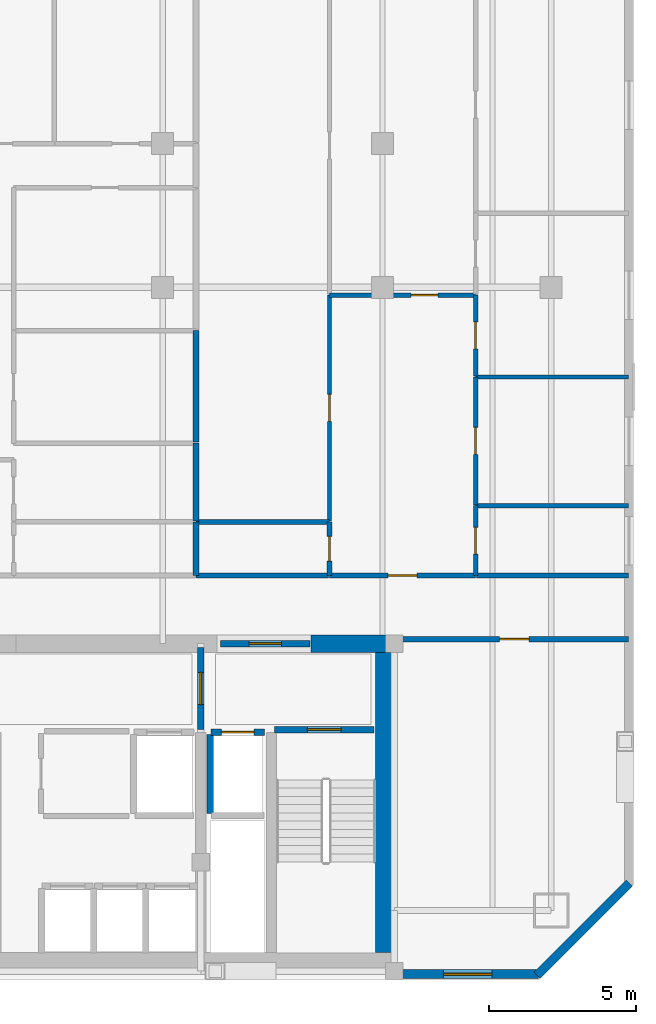
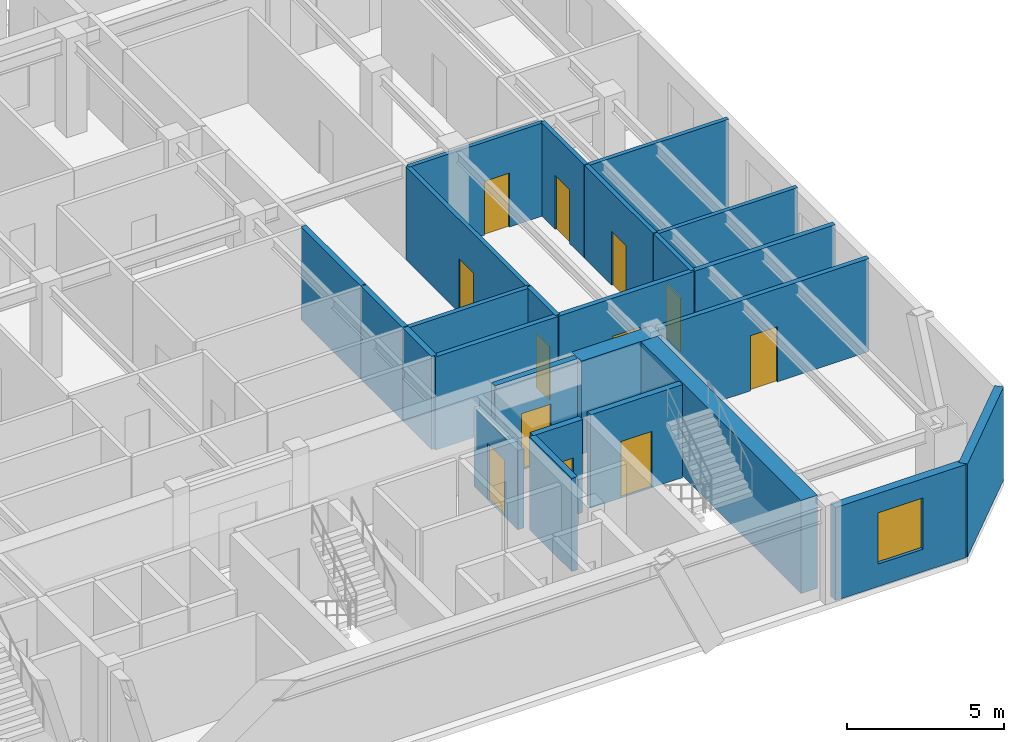
# One storey, part 5 of 8: 25 walls, 12 doors, 1 window, 13 openings.
"""IFC4 building model written with IfcOpenShell, lengths in metres."""

from ifc_helpers import new_model, si_unit, direction, frame, frame_2d, origin, place, context, subcontext, project, spatial, rectangle, extrude, material, layer, layer_set, type_object, element, fill, save


model = new_model("IFC4")

# Units and contexts
model_context = context("Model", 3, precision=1e-05, world=origin(), true_north=direction((0.0, 1.0)))
body_context = subcontext(model_context, "Body", "Model", "MODEL_VIEW")
ifc_project = project(units=[si_unit("LENGTHUNIT", "METRE"), si_unit("AREAUNIT", "SQUARE_METRE"), si_unit("VOLUMEUNIT", "CUBIC_METRE"), si_unit("PLANEANGLEUNIT", "RADIAN"), si_unit("MASSUNIT", "GRAM", prefix="KILO")], contexts=[model_context])

# Site, building, storey
site_placement = place(None, origin())
site = spatial("IfcSite", under=ifc_project, at=site_placement, CompositionType="ELEMENT")
building_placement = place(site_placement, origin())
building = spatial("IfcBuilding", under=site, at=building_placement, Name="Ventersveld Concourse Tower", CompositionType="ELEMENT")
storey_placement = place(building_placement, frame((0.0, 0.0, 196.449951171875)))
storey = spatial("IfcBuildingStorey", under=building, at=storey_placement, Name="L48", CompositionType="ELEMENT", Elevation=196.449951171875)

# Walls
ifc_material_1 = material(Name="Concrete C50/60", Category="concrete")
ifc_layer_1 = layer(ifc_material_1, 0.60009765625)
ifc_layer_set_1 = layer_set([ifc_layer_1], Name="Concrete C50/60")
wall_type_1 = type_object("IfcWallType", Name="WL-CORE-600", PredefinedType="SHEAR", material=ifc_layer_set_1)
wall_1_placement = place(storey_placement, frame((43.800048828125, 0.919921875, 0.0), z_axis=(0.0, 0.0, 1.0), x_axis=(0.0, 1.0, 0.0)))
element("IfcWall", 1, at=wall_1_placement, inside=storey, type_object=wall_type_1, Name="L48 Rear Core East Shear Wall", PredefinedType="SHEAR", context=body_context, shape_type="SweptSolid", body=[
    extrude(rectangle(XDim=10.530029296875, YDim=0.60009765625, at=frame_2d((5.26513671875, 0.0))), origin(), (0.0, 0.0, 1.0), 3.630126953125),
])
wall_2_placement = place(storey_placement, frame((41.300048828125, 11.449951171875, 0.0), z_axis=(0.0, 0.0, 1.0), x_axis=(1.0, 0.0, 0.0)))
element("IfcWall", 2, at=wall_2_placement, inside=storey, type_object=wall_type_1, Name="L48 Rear Core North Shear Wall NE", PredefinedType="SHEAR", context=body_context, shape_type="SweptSolid", body=[
    extrude(rectangle(XDim=2.949951171875, YDim=0.60009765625, at=frame_2d((1.47509765625, 0.0))), origin(), (0.0, 0.0, 1.0), 3.630126953125),
])

# Wall, opening, door
ifc_material_2 = material(Name="Fire-rated autoclaved aerated masonry blockwork", Category="masonry")
ifc_layer_2 = layer(ifc_material_2, 0.179931640625)
ifc_layer_set_2 = layer_set([ifc_layer_2], Name="Fire-rated autoclaved aerated masonry blockwork")
wall_type_2 = type_object("IfcWallType", Name="WL-CORR-180", PredefinedType="PARTITIONING", material=ifc_layer_set_2)
wall_3_placement = place(storey_placement, frame((44.35498046875, 11.60009765625, 0.0), z_axis=(0.0, 0.0, 1.0), x_axis=(1.0, 0.0, 0.0)))
wall_3 = element("IfcWall", 3, at=wall_3_placement, inside=storey, type_object=wall_type_2, Name="L48 Interior Partition SP-L48-SE-OFF-SP-L48-COR", PredefinedType="PARTITIONING", context=body_context, shape_type="SweptSolid", body=[
    extrude(rectangle(XDim=7.7724609375, YDim=0.179931640625, at=frame_2d((3.88623046875, 0.0))), origin(), (0.0, 0.0, 1.0), 3.630126953125),
])
opening_1_placement = place(wall_3_placement, frame((3.38623046875, 0.0, 0.0)))
opening_1 = element("IfcOpeningElement", 4, at=opening_1_placement, cuts=wall_3, Name="Opening FD3", PredefinedType="OPENING", context=body_context, shape_type="SweptSolid", body=[
    extrude(rectangle(XDim=1.0, YDim=2.14990234375, at=frame_2d((0.5, 1.074951171875))), frame((0.0, 0.10009765625, 0.0), z_axis=(0.0, -1.0, 0.0), x_axis=(1.0, 0.0, 0.0)), (0.0, 0.0, 1.0), 0.199951171875),
])
ifc_material_3 = material(Name="Solid-core hardwood veneer timber", Category="wood")
door_type_1 = type_object("IfcDoorType", Name="DR-FLAT-100", OperationType="NOTDEFINED", PredefinedType="DOOR", material=ifc_material_3)
door_1_placement = place(opening_1_placement, origin())
door_1 = element("IfcDoor", 5, at=door_1_placement, inside=storey, type_object=door_type_1, Name="L48 Interior Door SP-L48-SE-OFF to SP-L48-COR (D-L48-2345)", OperationType="SINGLE_SWING_LEFT", OverallHeight=2.14990234375, OverallWidth=1.0, PredefinedType="DOOR", context=body_context, shape_type="SweptSolid", body=[
    extrude(rectangle(XDim=1.0, YDim=2.14990234375, at=frame_2d((0.5, 1.074951171875))), frame((0.0, 0.02490234375, 0.0), z_axis=(0.0, -1.0, 0.0), x_axis=(1.0, 0.0, 0.0)), (0.0, 0.0, 1.0), 0.050048828125),
])
fill(opening_1, door_1)

wall_4_placement = place(storey_placement, frame((41.93505859375, 13.77001953125, 0.0), z_axis=(0.0, 0.0, 1.0), x_axis=(1.0, 0.0, 0.0)))
wall_4 = element("IfcWall", 6, at=wall_4_placement, inside=storey, type_object=wall_type_2, Name="L48 Interior Partition SP-L48-COR-SP-L48-48CE-FOY", PredefinedType="PARTITIONING", context=body_context, shape_type="SweptSolid", body=[
    extrude(rectangle(XDim=4.989990234375, YDim=0.179931640625, at=frame_2d((2.4951171875, 0.0))), origin(), (0.0, 0.0, 1.0), 3.630126953125),
])
opening_2_placement = place(wall_4_placement, frame((1.9951171875, 0.0, 0.0)))
opening_2 = element("IfcOpeningElement", 7, at=opening_2_placement, cuts=wall_4, Name="Opening FD3", PredefinedType="OPENING", context=body_context, shape_type="SweptSolid", body=[
    extrude(rectangle(XDim=1.0, YDim=2.14990234375, at=frame_2d((0.5, 1.074951171875))), frame((0.0, 0.10009765625, 0.0), z_axis=(0.0, -1.0, 0.0), x_axis=(1.0, 0.0, 0.0)), (0.0, 0.0, 1.0), 0.199951171875),
])
door_2_placement = place(opening_2_placement, origin())
door_2 = element("IfcDoor", 8, at=door_2_placement, inside=storey, type_object=door_type_1, Name="L48 Interior Door SP-L48-COR to SP-L48-48CE-FOY (FD-L48-2347)", OperationType="SINGLE_SWING_LEFT", OverallHeight=2.14990234375, OverallWidth=1.0, PredefinedType="DOOR", context=body_context, shape_type="SweptSolid", body=[
    extrude(rectangle(XDim=1.0, YDim=2.14990234375, at=frame_2d((0.5, 1.074951171875))), frame((0.0, 0.02490234375, 0.0), z_axis=(0.0, -1.0, 0.0), x_axis=(1.0, 0.0, 0.0)), (0.0, 0.0, 1.0), 0.050048828125),
])
fill(opening_2, door_2)

# Walls
wall_5_placement = place(storey_placement, frame((37.385009765625, 13.77001953125, 0.0), z_axis=(0.0, 0.0, 1.0), x_axis=(1.0, 0.0, 0.0)))
element("IfcWall", 9, at=wall_5_placement, inside=storey, type_object=wall_type_2, Name="L48 Interior Partition SP-L48-COR-SP-L48-48CE-BATH", PredefinedType="PARTITIONING", context=body_context, shape_type="SweptSolid", body=[
    extrude(rectangle(XDim=4.52001953125, YDim=0.179931640625, at=frame_2d((2.260009765625, 0.0))), origin(), (0.0, 0.0, 1.0), 3.630126953125),
])
wall_6_placement = place(storey_placement, frame((46.955078125, 13.77001953125, 0.0), z_axis=(0.0, 0.0, 1.0), x_axis=(1.0, 0.0, 0.0)))
element("IfcWall", 10, at=wall_6_placement, inside=storey, type_object=wall_type_2, Name="L48 Interior Partition SP-L48-COR-SP-L48-48CE-KIT", PredefinedType="PARTITIONING", context=body_context, shape_type="SweptSolid", body=[
    extrude(rectangle(XDim=5.17236328125, YDim=0.179931640625, at=frame_2d((2.586181640625, 0.0))), origin(), (0.0, 0.0, 1.0), 3.630126953125),
])
ifc_layer_3 = layer(ifc_material_2, 0.199951171875)
ifc_layer_set_3 = layer_set([ifc_layer_3], Name="Fire-rated autoclaved aerated masonry blockwork")
wall_type_3 = type_object("IfcWallType", Name="WL-DEMISE-200", PredefinedType="PARTITIONING", material=ifc_layer_set_3)
wall_7_placement = place(storey_placement, frame((37.389892578125, 13.764892578125, 0.0), z_axis=(0.0, 0.0, 1.0), x_axis=(0.0, 1.0, 0.0)))
element("IfcWall", 11, at=wall_7_placement, inside=storey, type_object=wall_type_3, Name="L48 Interior Partition SP-L48-48CE-BATH-SP-L48-48CM-KIT", PredefinedType="PARTITIONING", context=body_context, shape_type="SweptSolid", body=[
    extrude(rectangle(XDim=1.840087890625, YDim=0.199951171875, at=frame_2d((0.919921875, 0.0))), origin(), (0.0, 0.0, 1.0), 3.630126953125),
])
wall_8_placement = place(storey_placement, frame((37.389892578125, 15.635009765625, 0.0), z_axis=(0.0, 0.0, 1.0), x_axis=(0.0, 1.0, 0.0)))
element("IfcWall", 12, at=wall_8_placement, inside=storey, type_object=wall_type_3, Name="L48 Interior Partition SP-L48-48CE-OFFL0-SP-L48-48CM-MEDR1", PredefinedType="PARTITIONING", context=body_context, shape_type="SweptSolid", body=[
    extrude(rectangle(XDim=2.652099609375, YDim=0.199951171875, at=frame_2d((1.326171875, 0.0))), origin(), (0.0, 0.0, 1.0), 3.630126953125),
])
wall_9_placement = place(storey_placement, frame((37.389892578125, 18.31689453125, 0.0), z_axis=(0.0, 0.0, 1.0), x_axis=(0.0, 1.0, 0.0)))
element("IfcWall", 13, at=wall_9_placement, inside=storey, type_object=wall_type_3, Name="L48 Interior Partition SP-L48-48CE-OFFL0-SP-L48-48CM-DENS", PredefinedType="PARTITIONING", context=body_context, shape_type="SweptSolid", body=[
    extrude(rectangle(XDim=3.803466796875, YDim=0.199951171875, at=frame_2d((1.90185546875, 0.0))), origin(), (0.0, 0.0, 1.0), 3.630126953125),
])
ifc_layer_4 = layer(ifc_material_2, 0.219970703125)
ifc_layer_set_4 = layer_set([ifc_layer_4], Name="Fire-rated autoclaved aerated masonry blockwork")
wall_type_4 = type_object("IfcWallType", Name="WL-HOIST-220", PredefinedType="SOLIDWALL", material=ifc_layer_set_4)
wall_10_placement = place(storey_placement, frame((37.8798828125, 5.64990234375, 0.0), z_axis=(0.0, 0.0, 1.0), x_axis=(0.0, 1.0, 0.0)))
element("IfcWall", 14, at=wall_10_placement, inside=storey, type_object=wall_type_4, Name="L48 Lift Hoistway Side Wall FFL-02W", PredefinedType="SOLIDWALL", context=body_context, shape_type="SweptSolid", body=[
    extrude(rectangle(XDim=2.7001953125, YDim=0.219970703125, at=frame_2d((1.35009765625, 0.0))), origin(), (0.0, 0.0, 1.0), 3.630126953125),
])

# Wall, opening, door
wall_11_placement = place(storey_placement, frame((37.89990234375, 8.429931640625, 0.0), z_axis=(0.0, 0.0, 1.0), x_axis=(1.0, 0.0, 0.0)))
wall_11 = element("IfcWall", 15, at=wall_11_placement, inside=storey, type_object=wall_type_4, Name="L48 Lift Hoistway Front Wall FFL-02", PredefinedType="SOLIDWALL", context=body_context, shape_type="SweptSolid", body=[
    extrude(rectangle(XDim=1.820068359375, YDim=0.219970703125, at=frame_2d((0.91015625, 0.0))), origin(), (0.0, 0.0, 1.0), 3.630126953125),
])
opening_3_placement = place(wall_11_placement, frame((0.35009765625, 0.0, 0.0)))
opening_3 = element("IfcOpeningElement", 16, at=opening_3_placement, cuts=wall_11, Name="Opening LD1", PredefinedType="OPENING", context=body_context, shape_type="SweptSolid", body=[
    extrude(rectangle(XDim=1.1201171875, YDim=2.25, at=frame_2d((0.56005859375, 1.125))), frame((0.0, 0.1201171875, 0.0), z_axis=(0.0, -1.0, 0.0), x_axis=(1.0, 0.0, 0.0)), (0.0, 0.0, 1.0), 0.239990234375),
])
ifc_material_4 = material(Name="Brushed stainless steel 316", Category="steel")
door_type_2 = type_object("IfcDoorType", Name="LD-FF-112", OperationType="SLIDING_TO_LEFT", PredefinedType="DOOR", material=ifc_material_4)
door_3_placement = place(opening_3_placement, origin())
door_3 = element("IfcDoor", 17, at=door_3_placement, inside=storey, type_object=door_type_2, Name="L48 Lift landing door FFL-02 (LD-L48-FFL-02)", OperationType="SLIDING_TO_RIGHT", OverallHeight=2.25, OverallWidth=1.1201171875, PredefinedType="DOOR", context=body_context, shape_type="SweptSolid", body=[
    extrude(rectangle(XDim=1.1201171875, YDim=2.25, at=frame_2d((0.56005859375, 1.125))), frame((0.0, 0.02490234375, 0.0), z_axis=(0.0, -1.0, 0.0), x_axis=(1.0, 0.0, 0.0)), (0.0, 0.0, 1.0), 0.050048828125),
])
fill(opening_3, door_3)

wall_12_placement = place(storey_placement, frame((40.06005859375, 8.52001953125, 0.0), z_axis=(0.0, 0.0, 1.0), x_axis=(1.0, 0.0, 0.0)))
wall_12 = element("IfcWall", 18, at=wall_12_placement, inside=storey, type_object=wall_type_4, Name="L48 Escape Stair ST02 Fire Wall", PredefinedType="SOLIDWALL", context=body_context, shape_type="SweptSolid", body=[
    extrude(rectangle(XDim=3.39990234375, YDim=0.219970703125, at=frame_2d((1.699951171875, 0.0))), origin(), (0.0, 0.0, 1.0), 3.630126953125),
])
opening_4_placement = place(wall_12_placement, frame((1.125, 0.0, 0.0)))
opening_4 = element("IfcOpeningElement", 19, at=opening_4_placement, cuts=wall_12, Name="Opening FD1", PredefinedType="OPENING", context=body_context, shape_type="SweptSolid", body=[
    extrude(rectangle(XDim=1.14990234375, YDim=2.199951171875, at=frame_2d((0.574951171875, 1.10009765625))), frame((0.0, 0.1201171875, 0.0), z_axis=(0.0, -1.0, 0.0), x_axis=(1.0, 0.0, 0.0)), (0.0, 0.0, 1.0), 0.239990234375),
])
ifc_material_5 = material(Name="Galvanised painted steel", Category="steel")
door_type_3 = type_object("IfcDoorType", Name="DR-STAIR-115", OperationType="NOTDEFINED", PredefinedType="DOOR", material=ifc_material_5)
door_4_placement = place(opening_4_placement, origin())
door_4 = element("IfcDoor", 20, at=door_4_placement, inside=storey, type_object=door_type_3, Name="L48 Escape Stair Door ST02 (SD-L48-2335)", OperationType="SINGLE_SWING_RIGHT", OverallHeight=2.199951171875, OverallWidth=1.14990234375, PredefinedType="DOOR", context=body_context, shape_type="SweptSolid", body=[
    extrude(rectangle(XDim=1.14990234375, YDim=2.199951171875, at=frame_2d((0.574951171875, 1.10009765625))), frame((0.0, 0.02490234375, 0.0), z_axis=(0.0, -1.0, 0.0), x_axis=(1.0, 0.0, 0.0)), (0.0, 0.0, 1.0), 0.050048828125),
])
fill(opening_4, door_4)

wall_13_placement = place(storey_placement, frame((37.550048828125, 8.52001953125, 0.0), z_axis=(0.0, 0.0, 1.0), x_axis=(0.0, 1.0, 0.0)))
wall_13 = element("IfcWall", 21, at=wall_13_placement, inside=storey, type_object=wall_type_4, Name="L48 Firefighting Lobby Smoke-Stop Wall FFLE-SEP", PredefinedType="SOLIDWALL", context=body_context, shape_type="SweptSolid", body=[
    extrude(rectangle(XDim=2.800048828125, YDim=0.219970703125, at=frame_2d((1.39990234375, 0.0))), origin(), (0.0, 0.0, 1.0), 3.08544921875),
])
opening_5_placement = place(wall_13_placement, frame((0.85009765625, 0.0, 0.0)))
opening_5 = element("IfcOpeningElement", 22, at=opening_5_placement, cuts=wall_13, Name="Opening FD2", PredefinedType="OPENING", context=body_context, shape_type="SweptSolid", body=[
    extrude(rectangle(XDim=1.10009765625, YDim=2.199951171875, at=frame_2d((0.550048828125, 1.10009765625))), frame((0.0, 0.1201171875, 0.0), z_axis=(0.0, -1.0, 0.0), x_axis=(1.0, 0.0, 0.0)), (0.0, 0.0, 1.0), 0.239990234375),
])
door_type_4 = type_object("IfcDoorType", Name="DR-FFL-110", OperationType="NOTDEFINED", PredefinedType="DOOR", material=ifc_material_5)
door_5_placement = place(opening_5_placement, origin())
door_5 = element("IfcDoor", 23, at=door_5_placement, inside=storey, type_object=door_type_4, Name="L48 Firefighting Lobby Door FFLE-SEP (FD-L48-2338)", OperationType="SINGLE_SWING_RIGHT", OverallHeight=2.199951171875, OverallWidth=1.10009765625, PredefinedType="DOOR", context=body_context, shape_type="SweptSolid", body=[
    extrude(rectangle(XDim=1.10009765625, YDim=2.199951171875, at=frame_2d((0.550048828125, 1.10009765625))), frame((0.0, 0.02490234375, 0.0), z_axis=(0.0, -1.0, 0.0), x_axis=(1.0, 0.0, 0.0)), (0.0, 0.0, 1.0), 0.050048828125),
])
fill(opening_5, door_5)

wall_14_placement = place(storey_placement, frame((38.22998046875, 11.449951171875, 0.0), z_axis=(0.0, 0.0, 1.0), x_axis=(1.0, 0.0, 0.0)))
wall_14 = element("IfcWall", 24, at=wall_14_placement, inside=storey, type_object=wall_type_4, Name="L48 Core North Fire Portal FFLE-OUT", PredefinedType="SOLIDWALL", context=body_context, shape_type="SweptSolid", body=[
    extrude(rectangle(XDim=3.0400390625, YDim=0.219970703125, at=frame_2d((1.52001953125, 0.0))), origin(), (0.0, 0.0, 1.0), 3.630126953125),
])
opening_6_placement = place(wall_14_placement, frame((0.969970703125, 0.0, 0.0)))
opening_6 = element("IfcOpeningElement", 25, at=opening_6_placement, cuts=wall_14, Name="Opening FD2", PredefinedType="OPENING", context=body_context, shape_type="SweptSolid", body=[
    extrude(rectangle(XDim=1.10009765625, YDim=2.199951171875, at=frame_2d((0.550048828125, 1.10009765625))), frame((0.0, 0.1201171875, 0.0), z_axis=(0.0, -1.0, 0.0), x_axis=(1.0, 0.0, 0.0)), (0.0, 0.0, 1.0), 0.239990234375),
])
door_6_placement = place(opening_6_placement, origin())
door_6 = element("IfcDoor", 26, at=door_6_placement, inside=storey, type_object=door_type_4, Name="L48 Core Lobby Fire Door FFLE-OUT (FD-L48-2341)", OperationType="SINGLE_SWING_LEFT", OverallHeight=2.199951171875, OverallWidth=1.10009765625, PredefinedType="DOOR", context=body_context, shape_type="SweptSolid", body=[
    extrude(rectangle(XDim=1.10009765625, YDim=2.199951171875, at=frame_2d((0.550048828125, 1.10009765625))), frame((0.0, 0.02490234375, 0.0), z_axis=(0.0, -1.0, 0.0), x_axis=(1.0, 0.0, 0.0)), (0.0, 0.0, 1.0), 0.050048828125),
])
fill(opening_6, door_6)

ifc_material_6 = material(Name="Autoclaved aerated masonry blockwork", Category="masonry")
ifc_layer_5 = layer(ifc_material_6, 0.14990234375)
ifc_layer_set_5 = layer_set([ifc_layer_5], Name="Autoclaved aerated masonry blockwork")
wall_type_5 = type_object("IfcWallType", Name="WL-INT-150", PredefinedType="PARTITIONING", material=ifc_layer_set_5)
wall_15_placement = place(storey_placement, frame((41.93505859375, 23.335693359375, 0.0), z_axis=(0.0, 0.0, 1.0), x_axis=(1.0, 0.0, 0.0)))
wall_15 = element("IfcWall", 27, at=wall_15_placement, inside=storey, type_object=wall_type_5, Name="L48 Interior Partition SP-L48-48CE-FOY-SP-L48-48CE-LIV", PredefinedType="PARTITIONING", context=body_context, shape_type="SweptSolid", body=[
    extrude(rectangle(XDim=4.989990234375, YDim=0.14990234375, at=frame_2d((2.4951171875, 0.0))), origin(), (0.0, 0.0, 1.0), 3.630126953125),
])
opening_7_placement = place(wall_15_placement, frame((2.783447265625, 0.0, 0.0)))
opening_7 = element("IfcOpeningElement", 28, at=opening_7_placement, cuts=wall_15, Name="Opening ID1", PredefinedType="OPENING", context=body_context, shape_type="SweptSolid", body=[
    extrude(rectangle(XDim=0.919921875, YDim=2.10009765625, at=frame_2d((0.4599609375, 1.050048828125))), frame((0.0, 0.0849609375, 0.0), z_axis=(0.0, -1.0, 0.0), x_axis=(1.0, 0.0, 0.0)), (0.0, 0.0, 1.0), 0.169921875),
])
door_type_5 = type_object("IfcDoorType", Name="DR-ROOM-092", OperationType="NOTDEFINED", PredefinedType="DOOR", material=ifc_material_3)
door_7_placement = place(opening_7_placement, origin())
door_7 = element("IfcDoor", 29, at=door_7_placement, inside=storey, type_object=door_type_5, Name="L48 Interior Door SP-L48-48CE-FOY to SP-L48-48CE-LIV (D-L48-2358)", OperationType="SINGLE_SWING_RIGHT", OverallHeight=2.10009765625, OverallWidth=0.919921875, PredefinedType="DOOR", context=body_context, shape_type="SweptSolid", body=[
    extrude(rectangle(XDim=0.919921875, YDim=2.10009765625, at=frame_2d((0.4599609375, 1.050048828125))), frame((0.0, 0.02490234375, 0.0), z_axis=(0.0, -1.0, 0.0), x_axis=(1.0, 0.0, 0.0)), (0.0, 0.0, 1.0), 0.050048828125),
])
fill(opening_7, door_7)

wall_16_placement = place(storey_placement, frame((41.93994140625, 15.635009765625, 0.0), z_axis=(0.0, 0.0, 1.0), x_axis=(0.0, 1.0, 0.0)))
wall_16 = element("IfcWall", 30, at=wall_16_placement, inside=storey, type_object=wall_type_5, Name="L48 Interior Partition SP-L48-48CE-FOY-SP-L48-48CE-OFFL0", PredefinedType="PARTITIONING", context=body_context, shape_type="SweptSolid", body=[
    extrude(rectangle(XDim=7.705810546875, YDim=0.14990234375, at=frame_2d((3.85302734375, 0.0))), origin(), (0.0, 0.0, 1.0), 3.630126953125),
])
opening_8_placement = place(wall_16_placement, frame((3.392822265625, 0.0, 0.0)))
opening_8 = element("IfcOpeningElement", 31, at=opening_8_placement, cuts=wall_16, Name="Opening ID1", PredefinedType="OPENING", context=body_context, shape_type="SweptSolid", body=[
    extrude(rectangle(XDim=0.919921875, YDim=2.10009765625, at=frame_2d((0.4599609375, 1.050048828125))), frame((0.0, 0.0849609375, 0.0), z_axis=(0.0, -1.0, 0.0), x_axis=(1.0, 0.0, 0.0)), (0.0, 0.0, 1.0), 0.169921875),
])
door_8_placement = place(opening_8_placement, origin())
door_8 = element("IfcDoor", 32, at=door_8_placement, inside=storey, type_object=door_type_5, Name="L48 Interior Door SP-L48-48CE-FOY to SP-L48-48CE-OFFL0 (D-L48-2360)", OperationType="SINGLE_SWING_RIGHT", OverallHeight=2.10009765625, OverallWidth=0.919921875, PredefinedType="DOOR", context=body_context, shape_type="SweptSolid", body=[
    extrude(rectangle(XDim=0.919921875, YDim=2.10009765625, at=frame_2d((0.4599609375, 1.050048828125))), frame((0.0, 0.02490234375, 0.0), z_axis=(0.0, -1.0, 0.0), x_axis=(1.0, 0.0, 0.0)), (0.0, 0.0, 1.0), 0.050048828125),
])
fill(opening_8, door_8)

wall_17_placement = place(storey_placement, frame((46.919921875, 13.764892578125, 0.0), z_axis=(0.0, 0.0, 1.0), x_axis=(0.0, 1.0, 0.0)))
wall_17 = element("IfcWall", 33, at=wall_17_placement, inside=storey, type_object=wall_type_5, Name="L48 Interior Partition SP-L48-48CE-FOY-SP-L48-48CE-KIT", PredefinedType="PARTITIONING", context=body_context, shape_type="SweptSolid", body=[
    extrude(rectangle(XDim=2.386962890625, YDim=0.14990234375, at=frame_2d((1.193359375, 0.0))), origin(), (0.0, 0.0, 1.0), 3.630126953125),
])
opening_9_placement = place(wall_17_placement, frame((0.7333984375, 0.0, 0.0)))
opening_9 = element("IfcOpeningElement", 34, at=opening_9_placement, cuts=wall_17, Name="Opening ID1", PredefinedType="OPENING", context=body_context, shape_type="SweptSolid", body=[
    extrude(rectangle(XDim=0.919921875, YDim=2.10009765625, at=frame_2d((0.4599609375, 1.050048828125))), frame((0.0, 0.0849609375, 0.0), z_axis=(0.0, -1.0, 0.0), x_axis=(1.0, 0.0, 0.0)), (0.0, 0.0, 1.0), 0.169921875),
])
door_9_placement = place(opening_9_placement, origin())
door_9 = element("IfcDoor", 35, at=door_9_placement, inside=storey, type_object=door_type_5, Name="L48 Interior Door SP-L48-48CE-FOY to SP-L48-48CE-KIT (D-L48-2361)", OperationType="SINGLE_SWING_LEFT", OverallHeight=2.10009765625, OverallWidth=0.919921875, PredefinedType="DOOR", context=body_context, shape_type="SweptSolid", body=[
    extrude(rectangle(XDim=0.919921875, YDim=2.10009765625, at=frame_2d((0.4599609375, 1.050048828125))), frame((0.0, 0.02490234375, 0.0), z_axis=(0.0, -1.0, 0.0), x_axis=(1.0, 0.0, 0.0)), (0.0, 0.0, 1.0), 0.050048828125),
])
fill(opening_9, door_9)

wall_18_placement = place(storey_placement, frame((46.919921875, 16.181884765625, 0.0), z_axis=(0.0, 0.0, 1.0), x_axis=(0.0, 1.0, 0.0)))
wall_18 = element("IfcWall", 36, at=wall_18_placement, inside=storey, type_object=wall_type_5, Name="L48 Interior Partition SP-L48-48CE-FOY-SP-L48-48CE-MEDR1", PredefinedType="PARTITIONING", context=body_context, shape_type="SweptSolid", body=[
    extrude(rectangle(XDim=4.3662109375, YDim=0.14990234375, at=frame_2d((2.18310546875, 0.0))), origin(), (0.0, 0.0, 1.0), 3.630126953125),
])
opening_10_placement = place(wall_18_placement, frame((1.72314453125, 0.0, 0.0)))
opening_10 = element("IfcOpeningElement", 37, at=opening_10_placement, cuts=wall_18, Name="Opening ID1", PredefinedType="OPENING", context=body_context, shape_type="SweptSolid", body=[
    extrude(rectangle(XDim=0.919921875, YDim=2.10009765625, at=frame_2d((0.4599609375, 1.050048828125))), frame((0.0, 0.0849609375, 0.0), z_axis=(0.0, -1.0, 0.0), x_axis=(1.0, 0.0, 0.0)), (0.0, 0.0, 1.0), 0.169921875),
])
door_10_placement = place(opening_10_placement, origin())
door_10 = element("IfcDoor", 38, at=door_10_placement, inside=storey, type_object=door_type_5, Name="L48 Interior Door SP-L48-48CE-FOY to SP-L48-48CE-MEDR1 (D-L48-2362)", OperationType="SINGLE_SWING_RIGHT", OverallHeight=2.10009765625, OverallWidth=0.919921875, PredefinedType="DOOR", context=body_context, shape_type="SweptSolid", body=[
    extrude(rectangle(XDim=0.919921875, YDim=2.10009765625, at=frame_2d((0.4599609375, 1.050048828125))), frame((0.0, 0.02490234375, 0.0), z_axis=(0.0, -1.0, 0.0), x_axis=(1.0, 0.0, 0.0)), (0.0, 0.0, 1.0), 0.050048828125),
])
fill(opening_10, door_10)

wall_19_placement = place(storey_placement, frame((46.919921875, 20.577880859375, 0.0), z_axis=(0.0, 0.0, 1.0), x_axis=(0.0, 1.0, 0.0)))
wall_19 = element("IfcWall", 39, at=wall_19_placement, inside=storey, type_object=wall_type_5, Name="L48 Interior Partition SP-L48-48CE-FOY-SP-L48-48CE-DENS", PredefinedType="PARTITIONING", context=body_context, shape_type="SweptSolid", body=[
    extrude(rectangle(XDim=2.762939453125, YDim=0.14990234375, at=frame_2d((1.38134765625, 0.0))), origin(), (0.0, 0.0, 1.0), 3.630126953125),
])
opening_11_placement = place(wall_19_placement, frame((0.92138671875, 0.0, 0.0)))
opening_11 = element("IfcOpeningElement", 40, at=opening_11_placement, cuts=wall_19, Name="Opening ID1", PredefinedType="OPENING", context=body_context, shape_type="SweptSolid", body=[
    extrude(rectangle(XDim=0.919921875, YDim=2.10009765625, at=frame_2d((0.4599609375, 1.050048828125))), frame((0.0, 0.0849609375, 0.0), z_axis=(0.0, -1.0, 0.0), x_axis=(1.0, 0.0, 0.0)), (0.0, 0.0, 1.0), 0.169921875),
])
door_11_placement = place(opening_11_placement, origin())
door_11 = element("IfcDoor", 41, at=door_11_placement, inside=storey, type_object=door_type_5, Name="L48 Interior Door SP-L48-48CE-FOY to SP-L48-48CE-DENS (D-L48-2363)", OperationType="SINGLE_SWING_LEFT", OverallHeight=2.10009765625, OverallWidth=0.919921875, PredefinedType="DOOR", context=body_context, shape_type="SweptSolid", body=[
    extrude(rectangle(XDim=0.919921875, YDim=2.10009765625, at=frame_2d((0.4599609375, 1.050048828125))), frame((0.0, 0.02490234375, 0.0), z_axis=(0.0, -1.0, 0.0), x_axis=(1.0, 0.0, 0.0)), (0.0, 0.0, 1.0), 0.050048828125),
])
fill(opening_11, door_11)

# Walls
for number, where, z_axis, x_axis, name in (
    (42, (46.9150390625, 16.146728515625, 0.0), (0.0, 0.0, 1.0), (1.0, 0.0, 0.0), "L48 Interior Partition SP-L48-48CE-KIT-SP-L48-48CE-MEDR1"),
    (43, (46.9150390625, 20.54296875, 0.0), (0.0, 0.0, 1.0), (1.0, 0.0, 0.0), "L48 Interior Partition SP-L48-48CE-MEDR1-SP-L48-48CE-DENS"),
):
    element("IfcWall", number, at=place(storey_placement, frame(where, z_axis=z_axis, x_axis=x_axis)), inside=storey, type_object=wall_type_5, Name=name, PredefinedType="PARTITIONING", context=body_context, shape_type="SweptSolid", body=[
        extrude(rectangle(XDim=5.21240234375, YDim=0.14990234375, at=frame_2d((2.606201171875, 0.0))), origin(), (0.0, 0.0, 1.0), 3.630126953125),
    ])

# Wall, opening, window
ifc_material_7 = material(Name="Precast concrete C45/55", Category="concrete")
ifc_layer_6 = layer(ifc_material_7, 0.300048828125)
ifc_layer_set_6 = layer_set([ifc_layer_6], Name="Precast concrete C45/55")
wall_type_6 = type_object("IfcWallType", Name="WL-PREC-300", PredefinedType="SOLIDWALL", material=ifc_layer_set_6)
wall_20_placement = place(storey_placement, frame((44.25, 0.179931640625, 0.0), z_axis=(0.0, 0.0, 1.0), x_axis=(1.0, 0.0, 0.0)))
wall_20 = element("IfcWall", 44, at=wall_20_placement, inside=storey, type_object=wall_type_6, Name="L48 South-East Flank Precast Wall", PredefinedType="SOLIDWALL", context=body_context, shape_type="SweptSolid", body=[
    extrude(rectangle(XDim=4.81005859375, YDim=0.300048828125, at=frame_2d((2.405029296875, 0.0))), origin(), (0.0, 0.0, 1.0), 3.630126953125),
])
opening_12_placement = place(wall_20_placement, frame((1.580078125, 0.0, 0.8798828125)))
opening_12 = element("IfcOpeningElement", 45, at=opening_12_placement, cuts=wall_20, Name="Opening W6", PredefinedType="OPENING", context=body_context, shape_type="SweptSolid", body=[
    extrude(rectangle(XDim=1.64990234375, YDim=2.0, at=frame_2d((0.824951171875, 1.0))), frame((0.0, 0.16015625, 0.0), z_axis=(0.0, -1.0, 0.0), x_axis=(1.0, 0.0, 0.0)), (0.0, 0.0, 1.0), 0.320068359375),
])
ifc_material_8 = material(Name="Tempered acoustic Low-E IGU", Category="glass")
window_type = type_object("IfcWindowType", Name="WIN-165x200", PartitioningType="SINGLE_PANEL", PredefinedType="WINDOW", material=ifc_material_8)
window_placement = place(opening_12_placement, origin())
window = element("IfcWindow", 46, at=window_placement, inside=storey, type_object=window_type, Name="L48 Punched Low-E Window W-0670", OverallHeight=2.0, OverallWidth=1.64990234375, PartitioningType="SINGLE_PANEL", PredefinedType="WINDOW", context=body_context, shape_type="SweptSolid", body=[
    extrude(rectangle(XDim=1.64990234375, YDim=2.0, at=frame_2d((0.824951171875, 1.0))), frame((0.0, 0.030029296875, 0.0), z_axis=(0.0, -1.0, 0.0), x_axis=(1.0, 0.0, 0.0)), (0.0, 0.0, 1.0), 0.06005859375),
])
fill(opening_12, window)

# Wall
wall_21_placement = place(storey_placement, frame((49.022216796875, 0.134521484375, 0.0), z_axis=(0.0, 0.0, 1.0), x_axis=(0.707106781187, 0.707106781187, 0.0)))
element("IfcWall", 47, at=wall_21_placement, inside=storey, type_object=wall_type_6, Name="L48 Highveld Precast Facade Wall E02", PredefinedType="SOLIDWALL", context=body_context, shape_type="SweptSolid", body=[
    extrude(rectangle(XDim=4.4453125, YDim=0.300048828125, at=frame_2d((2.22265625, 0.0))), origin(), (0.0, 0.0, 1.0), 3.630126953125),
])

# Wall, opening, door
ifc_layer_7 = layer(ifc_material_6, 0.1650390625)
ifc_layer_set_7 = layer_set([ifc_layer_7], Name="Autoclaved aerated masonry blockwork")
wall_type_7 = type_object("IfcWallType", Name="WL-WET-165", PredefinedType="PLUMBINGWALL", material=ifc_layer_set_7)
wall_22_placement = place(storey_placement, frame((41.93994140625, 13.764892578125, 0.0), z_axis=(0.0, 0.0, 1.0), x_axis=(0.0, 1.0, 0.0)))
wall_22 = element("IfcWall", 48, at=wall_22_placement, inside=storey, type_object=wall_type_7, Name="L48 Interior Partition SP-L48-48CE-FOY-SP-L48-48CE-BATH", PredefinedType="PLUMBINGWALL", context=body_context, shape_type="SweptSolid", body=[
    extrude(rectangle(XDim=1.840087890625, YDim=0.1650390625, at=frame_2d((0.919921875, 0.0))), origin(), (0.0, 0.0, 1.0), 3.630126953125),
])
opening_13_placement = place(wall_22_placement, frame((0.4951171875, 0.0, 0.0)))
opening_13 = element("IfcOpeningElement", 49, at=opening_13_placement, cuts=wall_22, Name="Opening ID2", PredefinedType="OPENING", context=body_context, shape_type="SweptSolid", body=[
    extrude(rectangle(XDim=0.85009765625, YDim=2.10009765625, at=frame_2d((0.425048828125, 1.050048828125))), frame((0.0, 0.092529296875, 0.0), z_axis=(0.0, -1.0, 0.0), x_axis=(1.0, 0.0, 0.0)), (0.0, 0.0, 1.0), 0.18505859375),
])
door_type_6 = type_object("IfcDoorType", Name="DR-BATH-085", OperationType="NOTDEFINED", PredefinedType="DOOR", material=ifc_material_3)
door_12_placement = place(opening_13_placement, origin())
door_12 = element("IfcDoor", 50, at=door_12_placement, inside=storey, type_object=door_type_6, Name="L48 Interior Door SP-L48-48CE-FOY to SP-L48-48CE-BATH (D-L48-2359)", OperationType="SINGLE_SWING_LEFT", OverallHeight=2.10009765625, OverallWidth=0.85009765625, PredefinedType="DOOR", context=body_context, shape_type="SweptSolid", body=[
    extrude(rectangle(XDim=0.85009765625, YDim=2.10009765625, at=frame_2d((0.425048828125, 1.050048828125))), frame((0.0, 0.02490234375, 0.0), z_axis=(0.0, -1.0, 0.0), x_axis=(1.0, 0.0, 0.0)), (0.0, 0.0, 1.0), 0.050048828125),
])
fill(opening_13, door_12)

# Wall
wall_23_placement = place(storey_placement, frame((37.385009765625, 15.60009765625, 0.0), z_axis=(0.0, 0.0, 1.0), x_axis=(1.0, 0.0, 0.0)))
element("IfcWall", 51, at=wall_23_placement, inside=storey, type_object=wall_type_7, Name="L48 Interior Partition SP-L48-48CE-BATH-SP-L48-48CE-OFFL0", PredefinedType="PLUMBINGWALL", context=body_context, shape_type="SweptSolid", body=[
    extrude(rectangle(XDim=4.56005859375, YDim=0.1650390625, at=frame_2d((2.280029296875, 0.0))), origin(), (0.0, 0.0, 1.0), 3.630126953125),
])

save(model, "model.ifc")
